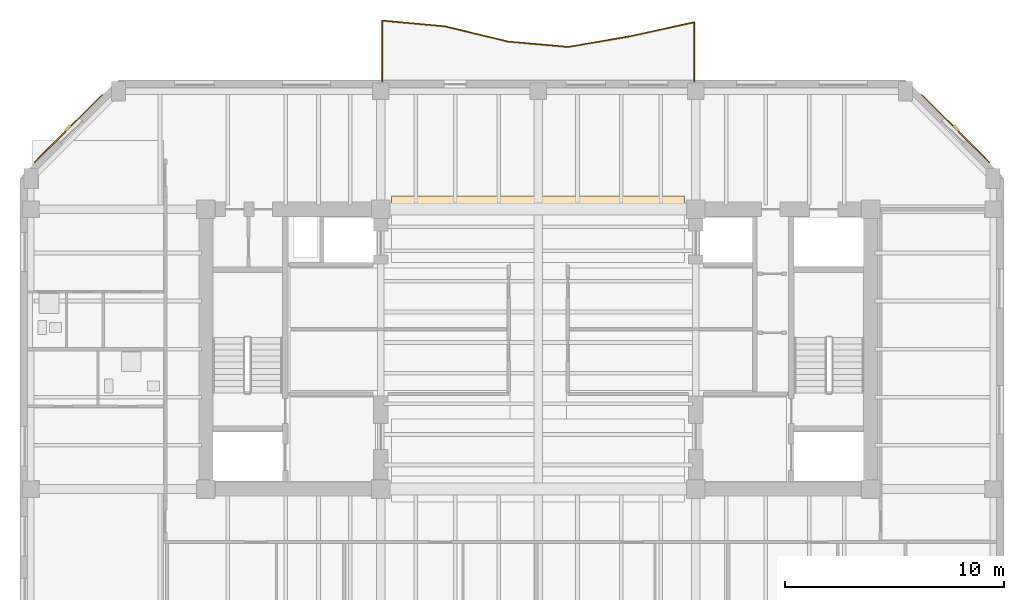
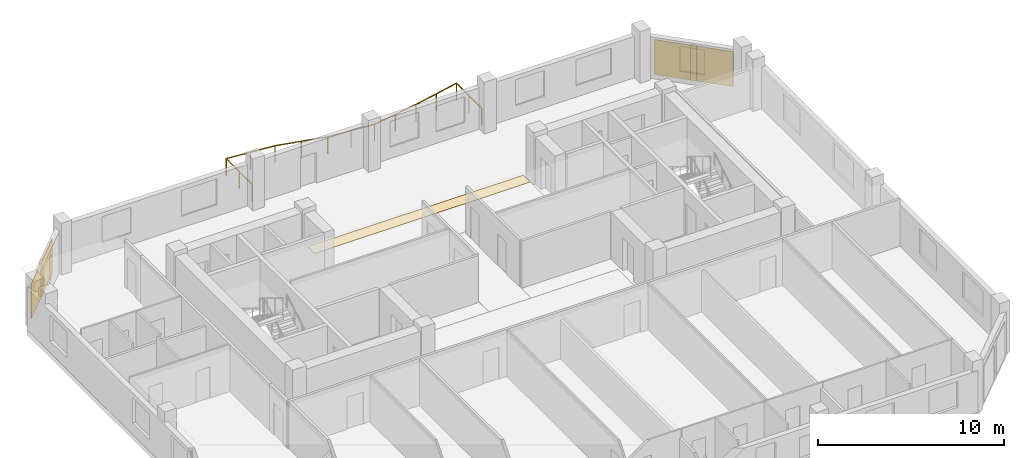
# One storey, part 10 of 11: 3 coverings, 2 shading devices, 1 railing.
"""IFC4 building model written with IfcOpenShell, lengths in metres."""

from ifc_helpers import new_model, si_unit, direction, frame, origin, origin_2d, place, context, subcontext, project, spatial, polyline, rectangle, circle, outline, extrude, material, layer, layer_set, type_object, element, save


model = new_model("IFC4")

# Units and contexts
model_context = context("Model", 3, precision=1e-05, world=origin(), true_north=direction((0.0, 1.0)))
body_context = subcontext(model_context, "Body", "Model", "MODEL_VIEW")
ifc_project = project(units=[si_unit("LENGTHUNIT", "METRE"), si_unit("AREAUNIT", "SQUARE_METRE"), si_unit("VOLUMEUNIT", "CUBIC_METRE"), si_unit("PLANEANGLEUNIT", "RADIAN"), si_unit("MASSUNIT", "GRAM", prefix="KILO")], contexts=[model_context])

# Site, building, storey
site_placement = place(None, origin())
site = spatial("IfcSite", under=ifc_project, at=site_placement, CompositionType="ELEMENT")
building_placement = place(site_placement, origin())
building = spatial("IfcBuilding", under=site, at=building_placement, Name="Kranthara Brick Stack", CompositionType="ELEMENT")
storey_placement = place(building_placement, frame((0.0, 0.0, 221.10009765625)))
storey = spatial("IfcBuildingStorey", under=building, at=storey_placement, Name="L57", CompositionType="ELEMENT", Elevation=221.10009765625)

# Coverings
ifc_material_1 = material(Name="Warm buff kiln-fired brick slip rainscreen", Category="masonry")
ifc_layer_1 = layer(ifc_material_1, 0.044921875)
ifc_layer_set_1 = layer_set([ifc_layer_1], Name="Warm buff kiln-fired brick slip rainscreen")
covering_type_1 = type_object("IfcCoveringType", Name="COV-CLAD-BRICK", PredefinedType="CLADDING", material=ifc_layer_set_1)
for number, where, z_axis, x_axis, name in (
    (1, (6.5126953125, 37.287353515625, 0.0498046875), (0.0, 0.0, 1.0), (0.707106781187, 0.707106781187, 0.0), "L57 Chamfer Brick Rainscreen Cladding NW"),
    (2, (47.08740234375, 37.287353515625, 0.0498046875), (0.0, 0.0, 1.0), (0.707106781187, -0.707106781187, 0.0), "L57 Chamfer Brick Rainscreen Cladding NE"),
):
    element("IfcCovering", number, at=place(storey_placement, frame(where, z_axis=z_axis, x_axis=x_axis)), inside=storey, type_object=covering_type_1, Name=name, PredefinedType="CLADDING", context=body_context, shape_type="SweptSolid", body=[
        extrude(rectangle(XDim=4.39892578125, YDim=0.044921875, at=origin_2d()), origin(), (0.0, 0.0, 1.0), 2.300048828125),
    ])
ifc_material_2 = material(Name="Honed terrazzo and porcelain floor finish", Category="stone")
ifc_layer_2 = layer(ifc_material_2, 0.030029296875)
ifc_layer_set_2 = layer_set([ifc_layer_2], Name="Honed terrazzo and porcelain floor finish")
covering_type_2 = type_object("IfcCoveringType", Name="COV-FLOR-STONE", PredefinedType="FLOORING", material=ifc_layer_set_2)
covering_placement = place(storey_placement, origin())
element("IfcCovering", 3, at=covering_placement, inside=storey, type_object=covering_type_2, Name="L57 Lift Lobby Stone Flooring", PredefinedType="FLOORING", context=body_context, shape_type="SweptSolid", body=[
    extrude(outline(polyline([(34.699951171875, 33.449951171875), (21.300048828125, 33.449951171875), (21.300048828125, 34.199951171875), (34.699951171875, 34.199951171875), (34.699951171875, 33.449951171875)])), origin(), (0.0, 0.0, 1.0), 0.02978515625),
])

# Railing
ifc_material_3 = material(Name="Bronze anodised aluminium and laminated glass balustrade", Category="aluminium")
railing_type = type_object("IfcRailingType", Name="RL-BALC-1120", PredefinedType="BALUSTRADE", material=ifc_material_3)
railing_placement = place(storey_placement, frame((20.860107421875, 39.43994140625, 0.0)))
element("IfcRailing", 4, at=railing_placement, inside=storey, type_object=railing_type, Name="L57 North Rippling Balcony Balustrade", PredefinedType="BALUSTRADE", context=body_context, shape_type="SweptSolid", body=[
    extrude(circle(Radius=0.02392578125, at=origin_2d()), frame((0.0, 0.0, 1.09619140625), z_axis=(-0.000262766042, 0.999999965477, 0.0), x_axis=(-0.999999965477, -0.000262766042, 0.0)), (0.0, 0.0, 1.0), 2.787353515625),
    extrude(circle(Radius=0.02392578125, at=origin_2d()), frame((-0.000732421875, 2.787353515625, 1.09619140625), z_axis=(0.995757163586, -0.092019949835, 0.0), x_axis=(0.092019949835, 0.995757163586, 0.0)), (0.0, 0.0, 1.0), 2.891845703125),
    extrude(circle(Radius=0.02392578125, at=origin_2d()), frame((2.87890625, 2.521240234375, 1.09619140625), z_axis=(0.972143732499, -0.234385501607, 0.0), x_axis=(0.234385501607, 0.972143732499, 0.0)), (0.0, 0.0, 1.0), 2.96337890625),
    extrude(circle(Radius=0.02392578125, at=origin_2d()), frame((5.759765625, 1.82666015625, 1.09619140625), z_axis=(0.996049818735, -0.088796163198, 0.0), x_axis=(0.088796163198, 0.996049818735, 0.0)), (0.0, 0.0, 1.0), 2.771484375),
    extrude(circle(Radius=0.02392578125, at=origin_2d()), frame((8.520263671875, 1.58056640625, 1.09619140625), z_axis=(0.985274830648, 0.170978092433, 0.0), x_axis=(-0.170978092433, 0.985274830648, 0.0)), (0.0, 0.0, 1.0), 2.9228515625),
    extrude(circle(Radius=0.02392578125, at=origin_2d()), frame((11.400146484375, 2.080322265625, 1.09619140625), z_axis=(0.976740960085, 0.214422706104, 0.0), x_axis=(-0.214422706104, 0.976740960085, 0.0)), (0.0, 0.0, 1.0), 2.948974609375),
    extrude(circle(Radius=0.02392578125, at=origin_2d()), frame((14.280517578125, 2.712646484375, 1.09619140625), z_axis=(-0.00027000269, -0.999999963549, 0.0), x_axis=(0.999999963549, -0.00027000269, 0.0)), (0.0, 0.0, 1.0), 2.712646484375),
    extrude(circle(Radius=0.02099609375, at=origin_2d()), origin(), (0.0, 0.0, 1.0), 1.072021484375),
    extrude(circle(Radius=0.02099609375, at=origin_2d()), frame((-0.00048828125, 1.3935546875, 0.0)), (0.0, 0.0, 1.0), 1.072021484375),
    extrude(circle(Radius=0.02099609375, at=origin_2d()), frame((-0.000732421875, 2.787353515625, 0.0)), (0.0, 0.0, 1.0), 1.072021484375),
    extrude(circle(Radius=0.02099609375, at=origin_2d()), frame((1.43896484375, 2.654296875, 0.0)), (0.0, 0.0, 1.0), 1.072021484375),
    extrude(circle(Radius=0.02099609375, at=origin_2d()), frame((2.87890625, 2.521240234375, 0.0)), (0.0, 0.0, 1.0), 1.072021484375),
    extrude(circle(Radius=0.02099609375, at=origin_2d()), frame((4.3193359375, 2.173828125, 0.0)), (0.0, 0.0, 1.0), 1.072021484375),
    extrude(circle(Radius=0.02099609375, at=origin_2d()), frame((5.759765625, 1.82666015625, 0.0)), (0.0, 0.0, 1.0), 1.072021484375),
    extrude(circle(Radius=0.02099609375, at=origin_2d()), frame((7.14013671875, 1.70361328125, 0.0)), (0.0, 0.0, 1.0), 1.072021484375),
    extrude(circle(Radius=0.02099609375, at=origin_2d()), frame((8.520263671875, 1.58056640625, 0.0)), (0.0, 0.0, 1.0), 1.072021484375),
    extrude(circle(Radius=0.02099609375, at=origin_2d()), frame((9.960205078125, 1.83056640625, 0.0)), (0.0, 0.0, 1.0), 1.072021484375),
    extrude(circle(Radius=0.02099609375, at=origin_2d()), frame((11.400146484375, 2.080322265625, 0.0)), (0.0, 0.0, 1.0), 1.072021484375),
    extrude(circle(Radius=0.02099609375, at=origin_2d()), frame((12.84033203125, 2.396484375, 0.0)), (0.0, 0.0, 1.0), 1.072021484375),
    extrude(circle(Radius=0.02099609375, at=origin_2d()), frame((14.280517578125, 2.712646484375, 0.0)), (0.0, 0.0, 1.0), 1.072021484375),
    extrude(circle(Radius=0.02099609375, at=origin_2d()), frame((14.2802734375, 1.3564453125, 0.0)), (0.0, 0.0, 1.0), 1.072021484375),
    extrude(circle(Radius=0.02099609375, at=origin_2d()), frame((14.27978515625, 0.0, 0.0)), (0.0, 0.0, 1.0), 1.072021484375),
])

# Shading devices
ifc_material_4 = material(Name="Kiln-fired terracotta aerodynamic wind fin", Category="masonry")
shading_device_type = type_object("IfcShadingDeviceType", Name="SHD-BAFFLE-CORNER", PredefinedType="SHUTTER", material=ifc_material_4)
for number, where, z_axis, x_axis, name in (
    (5, (6.491455078125, 37.30859375, 0.0498046875), (0.0, 0.0, 1.0), (0.707106781187, 0.707106781187, 0.0), "L57 Chamfer Wind-Baffle Fin NW"),
    (6, (47.1083984375, 37.30859375, 0.0498046875), (0.0, 0.0, 1.0), (0.707106781187, -0.707106781187, 0.0), "L57 Chamfer Wind-Baffle Fin NE"),
):
    element("IfcShadingDevice", number, at=place(storey_placement, frame(where, z_axis=z_axis, x_axis=x_axis)), inside=storey, type_object=shading_device_type, Name=name, PredefinedType="SHUTTER", context=body_context, shape_type="SweptSolid", body=[
        extrude(rectangle(XDim=0.35009765625, YDim=0.1201171875, at=origin_2d()), origin(), (0.0, 0.0, 1.0), 2.300048828125),
    ])

save(model, "model.ifc")
